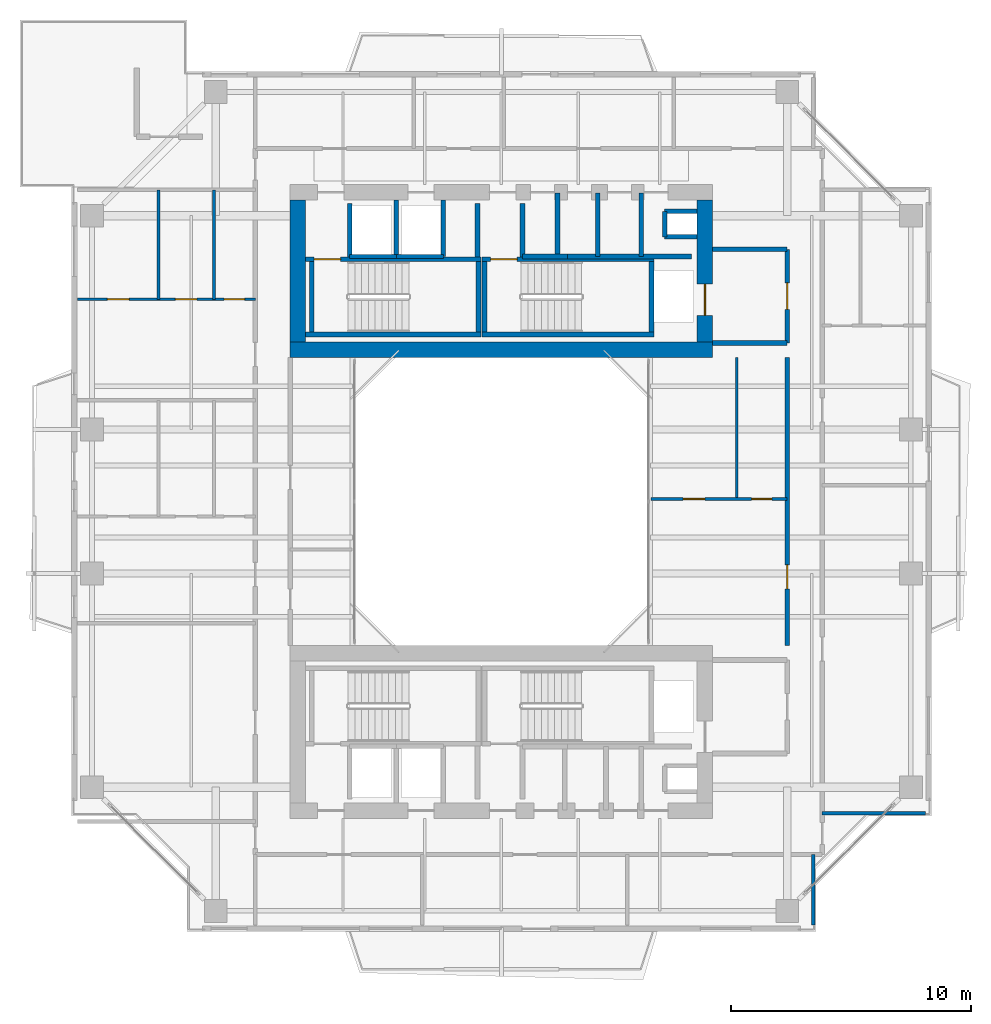
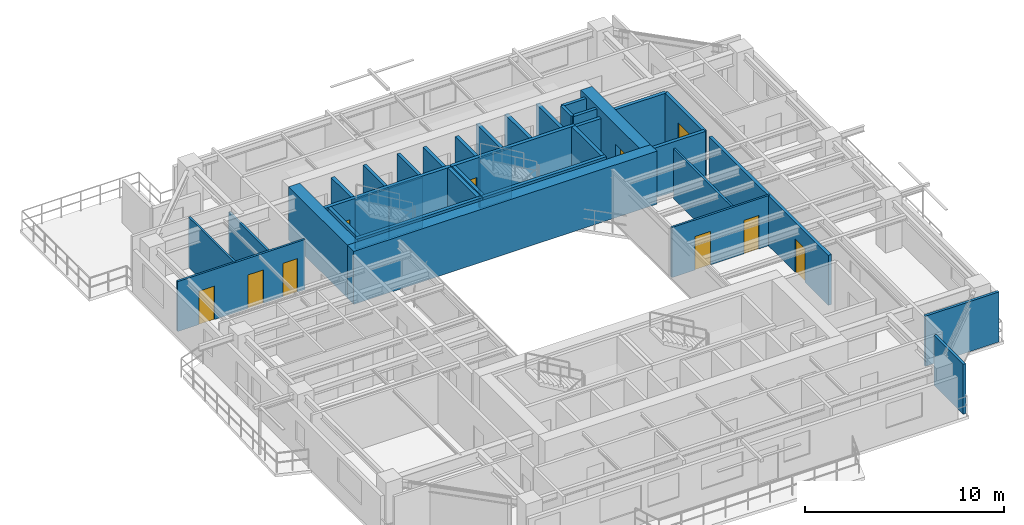
# One storey, part 12 of 17: 37 walls, 10 doors, 10 openings.
"""IFC4 building model written with IfcOpenShell, lengths in metres."""

import ifcopenshell
import ifcopenshell.guid

model = None  # the IFC model being written
_history = None  # IfcOwnerHistory: only IFC2X3 demands one
_inside = {}  # id of a spatial element -> (the spatial element, [elements in it])
_under = {}  # id of a project, library or spatial element -> (it, [spatial elements below it])
_declared = {}  # id of a project -> (the project, [libraries it declares])
_typed = {}  # id of a type object -> (the type object, [elements of that type])
_made_of = {}  # id of a material, layer set ... -> (it, [elements and type objects made of it])


def new_model(schema):
    """Start an empty IFC model of exactly this schema.

    Asked for "IFC4X3", IfcOpenShell would pick the latest addendum, in which some entities
    have other attributes; the version numbers below select the first issue.
    IFC2X3 requires an IfcOwnerHistory on every rooted entity: one is made here for all.
    """
    global model, _history
    if schema == "IFC4X3":
        model = ifcopenshell.file(schema_version=(4, 3, 0, 0))
    else:
        model = ifcopenshell.file(schema=schema)
    _inside.clear()
    _under.clear()
    _declared.clear()
    _typed.clear()
    _made_of.clear()
    _history = None
    if model.schema == "IFC2X3":
        org = make("IfcOrganization", Name="unknown")
        user = make(
            "IfcPersonAndOrganization",
            ThePerson=make("IfcPerson", FamilyName="unknown"),
            TheOrganization=org,
        )
        app = make(
            "IfcApplication",
            ApplicationDeveloper=org,
            Version="unknown",
            ApplicationFullName="unknown",
            ApplicationIdentifier="unknown",
        )
        _history = make(
            "IfcOwnerHistory",
            OwningUser=user,
            OwningApplication=app,
            ChangeAction="ADDED",
            CreationDate=0,
        )
    return model


def make(cls, **values):
    """One entity of the class cls with the attributes given. An attribute that is None is left unset."""
    return model.create_entity(
        cls, **{name: value for name, value in values.items() if value is not None}
    )


def rooted(cls, **values):
    """An entity with a GlobalId (a new one), such as an element, a storey or a relation."""
    return make(cls, GlobalId=ifcopenshell.guid.new(), OwnerHistory=_history, **values)


def si_unit(unit_type, name, prefix=None):
    """IfcSIUnit, for example si_unit("LENGTHUNIT", "METRE", prefix="MILLI")."""
    return make("IfcSIUnit", UnitType=unit_type, Prefix=prefix, Name=name)


def assignment(units):
    """IfcUnitAssignment: the units of a project."""
    return None if units is None else make("IfcUnitAssignment", Units=units)


def point(xyz):
    """IfcCartesianPoint."""
    return None if xyz is None else make("IfcCartesianPoint", Coordinates=xyz)


def direction(xyz):
    """IfcDirection."""
    return None if xyz is None else make("IfcDirection", DirectionRatios=xyz)


def frame(location, z_axis=None, x_axis=None):
    """IfcAxis2Placement3D, a coordinate frame: its origin and axes. An axis left out is left unset."""
    return make(
        "IfcAxis2Placement3D",
        Location=point(location),
        Axis=direction(z_axis),
        RefDirection=direction(x_axis),
    )


def frame_2d(location, x_axis=None):
    """IfcAxis2Placement2D, a coordinate frame in the plane: its origin and x axis."""
    return make(
        "IfcAxis2Placement2D", Location=point(location), RefDirection=direction(x_axis)
    )


def origin():
    """The frame at (0, 0, 0) with its axes left unset."""
    return frame((0.0, 0.0, 0.0))


def place(relative_to, where):
    """IfcLocalPlacement: puts the frame where relative to a parent placement (None: the world)."""
    return make(
        "IfcLocalPlacement", PlacementRelTo=relative_to, RelativePlacement=where
    )


def context(
    kind, dimensions, precision=None, world=None, true_north=None, identifier=None
):
    """IfcGeometricRepresentationContext, for example the 3D "Model" context."""
    return make(
        "IfcGeometricRepresentationContext",
        ContextIdentifier=identifier,
        ContextType=kind,
        CoordinateSpaceDimension=dimensions,
        Precision=precision,
        WorldCoordinateSystem=world,
        TrueNorth=true_north,
    )


def subcontext(parent, identifier, kind, view, scale=None):
    """IfcGeometricRepresentationSubContext, for example "Body" below "Model"."""
    return make(
        "IfcGeometricRepresentationSubContext",
        ContextIdentifier=identifier,
        ContextType=kind,
        ParentContext=parent,
        TargetScale=scale,
        TargetView=view,
    )


def project(units=None, contexts=None):
    """IfcProject with its units and contexts."""
    return rooted(
        "IfcProject",
        Name="project",
        RepresentationContexts=contexts,
        UnitsInContext=assignment(units),
    )


def spatial(cls, under=None, at=None, **own):
    """A site, building, storey or space (cls), placed at a placement, below another one or the project."""
    s = rooted(cls, ObjectPlacement=at, **own)
    if under is not None:
        _under.setdefault(under.id(), (under, []))[1].append(s)
    return s


def profile(cls, at=None, kind="AREA", **sizes):
    """A parametric profile (cls). Its sizes go by their IFC names, for example OverallWidth=200.0."""
    return make(cls, ProfileType=kind, Position=at, **sizes)


def rectangle(**sizes):
    """IfcRectangleProfileDef."""
    return profile("IfcRectangleProfileDef", **sizes)


def extrude(swept, where, along, depth):
    """IfcExtrudedAreaSolid: the profile swept, set in the frame where, extruded along a direction by depth."""
    return make(
        "IfcExtrudedAreaSolid",
        SweptArea=swept,
        Position=where,
        ExtrudedDirection=direction(along),
        Depth=depth,
    )


def shape(context_of_items, identifier, shape_type, items):
    """IfcShapeRepresentation: the items that make up one representation, for example the "Body"."""
    return make(
        "IfcShapeRepresentation",
        ContextOfItems=context_of_items,
        RepresentationIdentifier=identifier,
        RepresentationType=shape_type,
        Items=items,
    )


def source(mapping_origin, context_of_items, identifier, shape_type, items):
    """IfcRepresentationMap: a shape defined once, which mapped items show again and again."""
    return make(
        "IfcRepresentationMap",
        MappingOrigin=mapping_origin,
        MappedRepresentation=shape(context_of_items, identifier, shape_type, items),
    )


def transform(
    local_origin,
    x_axis=None,
    y_axis=None,
    z_axis=None,
    scale=None,
    scale2=None,
    scale3=None,
    uniform=True,
):
    """IfcCartesianTransformationOperator3D, or its non-uniform kind. x_axis, y_axis, z_axis: its Axis1, 2, 3."""
    if uniform:
        return make(
            "IfcCartesianTransformationOperator3D",
            Axis1=direction(x_axis),
            Axis2=direction(y_axis),
            LocalOrigin=point(local_origin),
            Scale=scale,
            Axis3=direction(z_axis),
        )
    return make(
        "IfcCartesianTransformationOperator3DnonUniform",
        Axis1=direction(x_axis),
        Axis2=direction(y_axis),
        LocalOrigin=point(local_origin),
        Scale=scale,
        Axis3=direction(z_axis),
        Scale2=scale2,
        Scale3=scale3,
    )


def mapped(mapping_source, mapping_target):
    """IfcMappedItem: shows the shape of a source again, moved by a transform."""
    return make(
        "IfcMappedItem", MappingSource=mapping_source, MappingTarget=mapping_target
    )


def material(Name=None, Category=None):
    """IfcMaterial."""
    return make("IfcMaterial", Name=Name, Category=Category)


def layer(
    of_material, thickness, ventilated=None, Name=None, Category=None, Priority=None
):
    """IfcMaterialLayer: one layer of a wall or slab, of a material (None: an air gap)."""
    return make(
        "IfcMaterialLayer",
        Material=of_material,
        LayerThickness=thickness,
        IsVentilated=ventilated,
        Name=Name,
        Category=Category,
        Priority=Priority,
    )


def layer_set(layers, Name=None):
    """IfcMaterialLayerSet."""
    return make("IfcMaterialLayerSet", MaterialLayers=layers, LayerSetName=Name)


def made_of(thing, what):
    """Note that an element or type object is made of a material, layer set ...; save() writes the relation."""
    if what is not None:
        _made_of.setdefault(what.id(), (what, []))[1].append(thing)
    return thing


def type_object(cls, material=None, **own):
    """A type object (cls), such as IfcWallType, which elements share."""
    return made_of(rooted(cls, **own), material)


def element(
    cls,
    number,
    at=None,
    inside=None,
    cuts=None,
    type_object=None,
    material=None,
    context=None,
    identifier="Body",
    shape_type=None,
    held_by="IfcProductDefinitionShape",
    body=None,
    shapes=None,
    **own,
):
    """One element of the class cls, such as IfcWall. Its Tag is "e" and its number.

    at: its placement. inside: the storey or other place that contains it. cuts: it is an
    opening in that element (IfcRelVoidsElement). A single representation is given by context,
    identifier, shape_type and body (its items); several are given by shapes. held_by: the class
    of the entity that holds the representations. save() writes the other relations.
    """
    e = rooted(cls, Tag="e%d" % number, ObjectPlacement=at, **own)
    if body is not None:
        shapes = [shape(context, identifier, shape_type, body)]
    if shapes is not None:
        e.Representation = make(held_by, Representations=shapes)
    if inside is not None:
        _inside.setdefault(inside.id(), (inside, []))[1].append(e)
    if cuts is not None:
        rooted(
            "IfcRelVoidsElement", RelatingBuildingElement=cuts, RelatedOpeningElement=e
        )
    if type_object is not None:
        _typed.setdefault(type_object.id(), (type_object, []))[1].append(e)
    return made_of(e, material)


def fill(opening, filler):
    """IfcRelFillsElement: the door or window that sits in an opening."""
    return rooted(
        "IfcRelFillsElement",
        RelatingOpeningElement=opening,
        RelatedBuildingElement=filler,
    )


def aggregate(whole, parts):
    """IfcRelAggregates: a whole, such as a stair, and the parts it consists of."""
    return rooted("IfcRelAggregates", RelatingObject=whole, RelatedObjects=parts)


def save(model, path):
    """Write the relations noted so far, then the file.

    IfcRelAggregates (storeys below a building ...), IfcRelContainedInSpatialStructure (elements
    in a storey), IfcRelDefinesByType, IfcRelAssociatesMaterial and IfcRelDeclares: one each for
    every whole, place, type object, material and project.
    """
    for whole, parts in _under.values():
        aggregate(whole, parts)
    for where, things in _inside.values():
        rooted(
            "IfcRelContainedInSpatialStructure",
            RelatedElements=things,
            RelatingStructure=where,
        )
    for kind, things in _typed.values():
        rooted("IfcRelDefinesByType", RelatedObjects=things, RelatingType=kind)
    for what, things in _made_of.values():
        rooted("IfcRelAssociatesMaterial", RelatedObjects=things, RelatingMaterial=what)
    for by, libraries in _declared.values():
        rooted("IfcRelDeclares", RelatingContext=by, RelatedDefinitions=libraries)
    model.write(path)


model = new_model("IFC4")

# Units and contexts
model_context = context("Model", 3, precision=1e-05, world=origin(), true_north=direction((0.0, 1.0)))
body_context = subcontext(model_context, "Body", "Model", "MODEL_VIEW")
ifc_project = project(units=[si_unit("LENGTHUNIT", "METRE"), si_unit("AREAUNIT", "SQUARE_METRE"), si_unit("VOLUMEUNIT", "CUBIC_METRE"), si_unit("PLANEANGLEUNIT", "RADIAN"), si_unit("MASSUNIT", "GRAM", prefix="KILO"), si_unit("THERMODYNAMICTEMPERATUREUNIT", "KELVIN"), si_unit("POWERUNIT", "WATT")], contexts=[model_context])

# Site, building, storey
site_placement = place(None, origin())
site = spatial("IfcSite", under=ifc_project, at=site_placement, CompositionType="ELEMENT")
building_placement = place(site_placement, origin())
building = spatial("IfcBuilding", under=site, at=building_placement, Name="Qiaomeng Ring Towers", CompositionType="ELEMENT")
storey_placement = place(building_placement, frame((0.0, 0.0, 143.75)))
storey = spatial("IfcBuildingStorey", under=building, at=storey_placement, Name="L41", CompositionType="ELEMENT", Elevation=143.75)

# Walls
ifc_material_1 = material(Name="Autoclaved aerated concrete block", Category="concrete")
ifc_layer_1 = layer(ifc_material_1, 0.199951171875, Name="Autoclaved aerated concrete block")
ifc_layer_set_1 = layer_set([ifc_layer_1], Name="Autoclaved aerated concrete block")
wall_type_1 = type_object("IfcWallType", Name="ARC-WL-PW1", PredefinedType="PARTITIONING", material=ifc_layer_set_1)
for number, where, z_axis, x_axis, name in (
    (1, (27.800048828125, 29.60009765625, 0.0), (0.0, 0.0, 1.0), (1.0, 0.0, 0.0), "L41 Interior Wall PW1"),
    (2, (27.800048828125, 33.5, 0.0), (0.0, 0.0, 1.0), (1.0, 0.0, 0.0), "L41 Interior Wall PW1"),
):
    element("IfcWall", number, at=place(storey_placement, frame(where, z_axis=z_axis, x_axis=x_axis)), inside=storey, type_object=wall_type_1, Name=name, PredefinedType="PARTITIONING", context=body_context, shape_type="SweptSolid", body=[
        extrude(rectangle(XDim=3.099853515625, YDim=0.199951171875, at=frame_2d((1.5498046875, 0.0))), origin(), (0.0, 0.0, 1.0), 3.070068359375),
    ])

# Wall, opening, door
wall_1_placement = place(storey_placement, frame((30.89990234375, 29.60009765625, 0.0), z_axis=(0.0, 0.0, 1.0), x_axis=(0.0, 1.0, 0.0)))
wall_1 = element("IfcWall", 3, at=wall_1_placement, inside=storey, type_object=wall_type_1, Name="L41 Interior Wall PW1", PredefinedType="PARTITIONING", context=body_context, shape_type="SweptSolid", body=[
    extrude(rectangle(XDim=3.89990234375, YDim=0.199951171875, at=frame_2d((1.949951171875, 0.0))), origin(), (0.0, 0.0, 1.0), 3.070068359375),
])
opening_1_placement = place(wall_1_placement, frame((1.39990234375, 0.0, 0.0)))
opening_1 = element("IfcOpeningElement", 4, at=opening_1_placement, cuts=wall_1, Name="Opening FD3", PredefinedType="OPENING", context=body_context, shape_type="SweptSolid", body=[
    extrude(rectangle(XDim=1.10009765625, YDim=2.050048828125, at=frame_2d((0.550048828125, 1.02490234375))), frame((0.0, 0.10986328125, 0.0), z_axis=(0.0, -1.0, 0.0), x_axis=(1.0, 0.0, 0.0)), (0.0, 0.0, 1.0), 0.219970703125),
])
ifc_material_2 = material(Name="Galvanised steel", Category="steel")
door_type_1 = type_object("IfcDoorType", Name="ARC-DR-FD3", OperationType="NOTDEFINED", PredefinedType="DOOR", material=ifc_material_2)
shared_shape_1 = source(origin(), body_context, "Body", "SweptSolid", [
    extrude(rectangle(XDim=1.10009765625, YDim=2.050048828125, at=frame_2d((0.550048828125, 1.02490234375))), frame((0.0, 0.02490234375, 0.0), z_axis=(0.0, -1.0, 0.0), x_axis=(1.0, 0.0, 0.0)), (0.0, 0.0, 1.0), 0.050048828125),
])
door_1_placement = place(opening_1_placement, origin())
door_1 = element("IfcDoor", 5, at=door_1_placement, inside=storey, type_object=door_type_1, Name="L41 North FF Lobby Door", OperationType="SINGLE_SWING_LEFT", OverallHeight=2.050048828125, OverallWidth=1.10009765625, PredefinedType="DOOR", context=body_context, shape_type="MappedRepresentation", body=[
    mapped(shared_shape_1, transform((0.0, 0.0, 0.0), x_axis=(1.0, 0.0, 0.0), y_axis=(0.0, 1.0, 0.0), z_axis=(0.0, 0.0, 1.0), scale=1.0)),
])
fill(opening_1, door_1)

# Walls
for number, where, z_axis, x_axis, name in (
    (6, (12.679931640625, 33.18994140625, 0.0), (0.0, 0.0, 1.0), (0.0, 1.0, 0.0), "L41 Interior Wall PW1"),
    (7, (18.0, 33.18994140625, 0.0), (0.0, 0.0, 1.0), (0.0, 1.0, 0.0), "L41 Interior Wall PW1"),
    (8, (19.8798828125, 33.18994140625, 0.0), (0.0, 0.0, 1.0), (0.0, 1.0, 0.0), "L41 Interior Wall PW1"),
):
    element("IfcWall", number, at=place(storey_placement, frame(where, z_axis=z_axis, x_axis=x_axis)), inside=storey, type_object=wall_type_1, Name=name, PredefinedType="PARTITIONING", context=body_context, shape_type="SweptSolid", body=[
        extrude(rectangle(XDim=2.2099609375, YDim=0.199951171875, at=frame_2d((1.10498046875, 0.0))), origin(), (0.0, 0.0, 1.0), 3.070068359375),
    ])
wall_2_placement = place(storey_placement, frame((24.820068359375, 33.199951171875, 0.0), z_axis=(0.0, 0.0, 1.0), x_axis=(0.0, 1.0, 0.0)))
element("IfcWall", 9, at=wall_2_placement, inside=storey, type_object=wall_type_1, Name="L41 Interior Wall PW1", PredefinedType="PARTITIONING", context=body_context, shape_type="SweptSolid", body=[
    extrude(rectangle(XDim=2.650146484375, YDim=0.199951171875, at=frame_2d((1.3251953125, 0.0))), origin(), (0.0, 0.0, 1.0), 3.070068359375),
])
wall_3_placement = place(storey_placement, frame((19.8798828125, 33.199951171875, 0.0), z_axis=(0.0, 0.0, 1.0), x_axis=(1.0, 0.0, 0.0)))
element("IfcWall", 10, at=wall_3_placement, inside=storey, type_object=wall_type_1, Name="L41 Interior Wall PW1", PredefinedType="PARTITIONING", context=body_context, shape_type="SweptSolid", body=[
    extrude(rectangle(XDim=1.8701171875, YDim=0.199951171875, at=frame_2d((0.93505859375, 0.0))), origin(), (0.0, 0.0, 1.0), 3.070068359375),
])
for number, where, z_axis, x_axis, name in (
    (11, (21.340087890625, 33.199951171875, 0.0), (0.0, 0.0, 1.0), (0.0, 1.0, 0.0), "L41 Interior Wall PW1"),
    (12, (23.010009765625, 33.199951171875, 0.0), (0.0, 0.0, 1.0), (0.0, 1.0, 0.0), "L41 Interior Wall PW1"),
):
    element("IfcWall", number, at=place(storey_placement, frame(where, z_axis=z_axis, x_axis=x_axis)), inside=storey, type_object=wall_type_1, Name=name, PredefinedType="PARTITIONING", context=body_context, shape_type="SweptSolid", body=[
        extrude(rectangle(XDim=2.650146484375, YDim=0.199951171875, at=frame_2d((1.3251953125, 0.0))), origin(), (0.0, 0.0, 1.0), 3.070068359375),
    ])
wall_4_placement = place(storey_placement, frame((21.75, 33.199951171875, 0.0), z_axis=(0.0, 0.0, 1.0), x_axis=(1.0, 0.0, 0.0)))
element("IfcWall", 13, at=wall_4_placement, inside=storey, type_object=wall_type_1, Name="L41 Interior Wall PW1", PredefinedType="PARTITIONING", context=body_context, shape_type="SweptSolid", body=[
    extrude(rectangle(XDim=5.169921875, YDim=0.199951171875, at=frame_2d((2.5849609375, 0.0))), origin(), (0.0, 0.0, 1.0), 3.070068359375),
])

# Wall, opening, door
ifc_layer_2 = layer(ifc_material_1, 0.179931640625, Name="Autoclaved aerated concrete block")
ifc_layer_set_2 = layer_set([ifc_layer_2], Name="Autoclaved aerated concrete block")
wall_type_2 = type_object("IfcWallType", Name="ARC-WL-PW2", PredefinedType="PARTITIONING", material=ifc_layer_set_2)
wall_5_placement = place(storey_placement, frame((30.89990234375, 17.0, 0.0), z_axis=(0.0, 0.0, 1.0), x_axis=(0.0, 1.0, 0.0)))
wall_5 = element("IfcWall", 14, at=wall_5_placement, inside=storey, type_object=wall_type_2, Name="L41 Interior Wall PW2", PredefinedType="PARTITIONING", context=body_context, shape_type="SweptSolid", body=[
    extrude(rectangle(XDim=12.0, YDim=0.179931640625, at=frame_2d((6.0, 0.0))), origin(), (0.0, 0.0, 1.0), 3.070068359375),
])
opening_2_placement = place(wall_5_placement, frame((2.360107421875, 0.0, 0.0)))
opening_2 = element("IfcOpeningElement", 15, at=opening_2_placement, cuts=wall_5, Name="Opening FD4", PredefinedType="OPENING", context=body_context, shape_type="SweptSolid", body=[
    extrude(rectangle(XDim=1.0, YDim=2.050048828125, at=frame_2d((0.5, 1.02490234375))), frame((0.0, 0.099853515625, 0.0), z_axis=(0.0, -1.0, 0.0), x_axis=(1.0, 0.0, 0.0)), (0.0, 0.0, 1.0), 0.199951171875),
])
ifc_material_3 = material(Name="Engineered fire-rated oak timber", Category="wood")
door_type_2 = type_object("IfcDoorType", Name="ARC-DR-FD4", OperationType="NOTDEFINED", PredefinedType="DOOR", material=ifc_material_3)
shared_shape_2 = source(origin(), body_context, "Body", "SweptSolid", [
    extrude(rectangle(XDim=1.0, YDim=2.050048828125, at=frame_2d((0.5, 1.02490234375))), frame((0.0, 0.02490234375, 0.0), z_axis=(0.0, -1.0, 0.0), x_axis=(1.0, 0.0, 0.0)), (0.0, 0.0, 1.0), 0.050048828125),
])
door_2_placement = place(opening_2_placement, origin())
door_2 = element("IfcDoor", 16, at=door_2_placement, inside=storey, type_object=door_type_2, Name="L41 Door FD4", OperationType="SINGLE_SWING_LEFT", OverallHeight=2.050048828125, OverallWidth=1.0, PredefinedType="DOOR", context=body_context, shape_type="MappedRepresentation", body=[
    mapped(shared_shape_2, transform((0.0, 0.0, 0.0), x_axis=(1.0, 0.0, 0.0), y_axis=(0.0, 1.0, 0.0), z_axis=(0.0, 0.0, 1.0), scale=1.0)),
])
fill(opening_2, door_2)

# Walls
ifc_material_4 = material(Name="Gypsum fireboard steel-stud partition", Category="steel")
ifc_layer_3 = layer(ifc_material_4, 0.14990234375, Name="Gypsum fireboard steel-stud partition")
ifc_layer_set_3 = layer_set([ifc_layer_3], Name="Gypsum fireboard steel-stud partition")
wall_type_3 = type_object("IfcWallType", Name="ARC-WL-PW3", PredefinedType="PARTITIONING", material=ifc_layer_set_3)
wall_6_placement = place(storey_placement, frame((31.97998046875, 5.35009765625, 0.0), z_axis=(0.0, 0.0, 1.0), x_axis=(0.0, 1.0, 0.0)))
element("IfcWall", 17, at=wall_6_placement, inside=storey, type_object=wall_type_3, Name="L41 Interior Wall PW3", PredefinedType="PARTITIONING", context=body_context, shape_type="SweptSolid", body=[
    extrude(rectangle(XDim=2.949951171875, YDim=0.14990234375, at=frame_2d((1.47509765625, 0.0))), origin(), (0.0, 0.0, 1.0), 3.070068359375),
])
wall_7_placement = place(storey_placement, frame((32.360107421875, 10.02001953125, 0.0), z_axis=(0.0, 0.0, 1.0), x_axis=(1.0, 0.0, 0.0)))
element("IfcWall", 18, at=wall_7_placement, inside=storey, type_object=wall_type_3, Name="L41 Interior Wall PW3", PredefinedType="PARTITIONING", context=body_context, shape_type="SweptSolid", body=[
    extrude(rectangle(XDim=4.289794921875, YDim=0.14990234375, at=frame_2d((2.14501953125, 0.0))), origin(), (0.0, 0.0, 1.0), 3.070068359375),
])

# Wall, openings, doors
ifc_material_5 = material(Name="Moisture-resistant gypsum steel-stud partition", Category="steel")
ifc_layer_4 = layer(ifc_material_5, 0.1201171875, Name="Moisture-resistant gypsum steel-stud partition")
ifc_layer_set_4 = layer_set([ifc_layer_4], Name="Moisture-resistant gypsum steel-stud partition")
wall_type_4 = type_object("IfcWallType", Name="ARC-WL-PW4", PredefinedType="PLUMBINGWALL", material=ifc_layer_set_4)
wall_8_placement = place(storey_placement, frame((1.35009765625, 31.419921875, 0.0), z_axis=(0.0, 0.0, 1.0), x_axis=(1.0, 0.0, 0.0)))
wall_8 = element("IfcWall", 19, at=wall_8_placement, inside=storey, type_object=wall_type_4, Name="L41 Interior Wall PW4", PredefinedType="PLUMBINGWALL", context=body_context, shape_type="SweptSolid", body=[
    extrude(rectangle(XDim=7.39990234375, YDim=0.1201171875, at=frame_2d((3.699951171875, 0.0))), origin(), (0.0, 0.0, 1.0), 3.070068359375),
])
opening_3_placement = place(wall_8_placement, frame((1.239990234375, 0.0, 0.0)))
opening_3 = element("IfcOpeningElement", 20, at=opening_3_placement, cuts=wall_8, Name="Opening ID1", PredefinedType="OPENING", context=body_context, shape_type="SweptSolid", body=[
    extrude(rectangle(XDim=0.89990234375, YDim=2.050048828125, at=frame_2d((0.449951171875, 1.02490234375))), frame((0.0, 0.070068359375, 0.0), z_axis=(0.0, -1.0, 0.0), x_axis=(1.0, 0.0, 0.0)), (0.0, 0.0, 1.0), 0.14013671875),
])
opening_4_placement = place(wall_8_placement, frame((4.070068359375, 0.0, 0.0)))
opening_4 = element("IfcOpeningElement", 21, at=opening_4_placement, cuts=wall_8, Name="Opening ID1", PredefinedType="OPENING", context=body_context, shape_type="SweptSolid", body=[
    extrude(rectangle(XDim=0.89990234375, YDim=2.050048828125, at=frame_2d((0.449951171875, 1.02490234375))), frame((0.0, 0.070068359375, 0.0), z_axis=(0.0, -1.0, 0.0), x_axis=(1.0, 0.0, 0.0)), (0.0, 0.0, 1.0), 0.14013671875),
])
opening_5_placement = place(wall_8_placement, frame((6.10498046875, 0.0, 0.0)))
opening_5 = element("IfcOpeningElement", 22, at=opening_5_placement, cuts=wall_8, Name="Opening ID2", PredefinedType="OPENING", context=body_context, shape_type="SweptSolid", body=[
    extrude(rectangle(XDim=0.85009765625, YDim=2.050048828125, at=frame_2d((0.425048828125, 1.02490234375))), frame((0.0, 0.070068359375, 0.0), z_axis=(0.0, -1.0, 0.0), x_axis=(1.0, 0.0, 0.0)), (0.0, 0.0, 1.0), 0.14013671875),
])
ifc_material_6 = material(Name="Moisture-resistant engineered timber", Category="wood")
door_type_3 = type_object("IfcDoorType", Name="ARC-DR-ID2", OperationType="NOTDEFINED", PredefinedType="DOOR", material=ifc_material_6)
shared_shape_3 = source(origin(), body_context, "Body", "SweptSolid", [
    extrude(rectangle(XDim=0.85009765625, YDim=2.050048828125, at=frame_2d((0.425048828125, 1.02490234375))), frame((0.0, 0.02490234375, 0.0), z_axis=(0.0, -1.0, 0.0), x_axis=(1.0, 0.0, 0.0)), (0.0, 0.0, 1.0), 0.050048828125),
])
door_3_placement = place(opening_5_placement, origin())
door_3 = element("IfcDoor", 23, at=door_3_placement, inside=storey, type_object=door_type_3, Name="L41 Door ID2", OperationType="SINGLE_SWING_LEFT", OverallHeight=2.050048828125, OverallWidth=0.85009765625, PredefinedType="DOOR", context=body_context, shape_type="MappedRepresentation", body=[
    mapped(shared_shape_3, transform((0.0, 0.0, 0.0), x_axis=(1.0, 0.0, 0.0), y_axis=(0.0, 1.0, 0.0), z_axis=(0.0, 0.0, 1.0), scale=1.0)),
])
fill(opening_5, door_3)
ifc_material_7 = material(Name="Engineered oak timber", Category="wood")
door_type_4 = type_object("IfcDoorType", Name="ARC-DR-ID1", OperationType="NOTDEFINED", PredefinedType="DOOR", material=ifc_material_7)
shared_shape_4 = source(origin(), body_context, "Body", "SweptSolid", [
    extrude(rectangle(XDim=0.89990234375, YDim=2.050048828125, at=frame_2d((0.449951171875, 1.02490234375))), frame((0.0, 0.02490234375, 0.0), z_axis=(0.0, -1.0, 0.0), x_axis=(1.0, 0.0, 0.0)), (0.0, 0.0, 1.0), 0.050048828125),
])
door_4_placement = place(opening_3_placement, origin())
door_4 = element("IfcDoor", 24, at=door_4_placement, inside=storey, type_object=door_type_4, Name="L41 Door ID1", OperationType="SINGLE_SWING_LEFT", OverallHeight=2.050048828125, OverallWidth=0.89990234375, PredefinedType="DOOR", context=body_context, shape_type="MappedRepresentation", body=[
    mapped(shared_shape_4, transform((0.0, 0.0, 0.0), x_axis=(1.0, 0.0, 0.0), y_axis=(0.0, 1.0, 0.0), z_axis=(0.0, 0.0, 1.0), scale=1.0)),
])
fill(opening_3, door_4)
door_5_placement = place(opening_4_placement, origin())
door_5 = element("IfcDoor", 25, at=door_5_placement, inside=storey, type_object=door_type_4, Name="L41 Door ID1", OperationType="SINGLE_SWING_RIGHT", OverallHeight=2.050048828125, OverallWidth=0.89990234375, PredefinedType="DOOR", context=body_context, shape_type="MappedRepresentation", body=[
    mapped(shared_shape_4, transform((0.0, 0.0, 0.0), x_axis=(1.0, 0.0, 0.0), y_axis=(0.0, 1.0, 0.0), z_axis=(0.0, 0.0, 1.0), scale=1.0)),
])
fill(opening_4, door_5)

# Walls
wall_9_placement = place(storey_placement, frame((4.7099609375, 31.419921875, 0.0), z_axis=(0.0, 0.0, 1.0), x_axis=(0.0, 1.0, 0.0)))
element("IfcWall", 26, at=wall_9_placement, inside=storey, type_object=wall_type_4, Name="L41 Interior Wall PW4", PredefinedType="PLUMBINGWALL", context=body_context, shape_type="SweptSolid", body=[
    extrude(rectangle(XDim=4.56005859375, YDim=0.1201171875, at=frame_2d((2.280029296875, 0.0))), origin(), (0.0, 0.0, 1.0), 3.070068359375),
])
wall_10_placement = place(storey_placement, frame((7.030029296875, 31.419921875, 0.0), z_axis=(0.0, 0.0, 1.0), x_axis=(0.0, 1.0, 0.0)))
element("IfcWall", 27, at=wall_10_placement, inside=storey, type_object=wall_type_4, Name="L41 Interior Wall PW4", PredefinedType="PLUMBINGWALL", context=body_context, shape_type="SweptSolid", body=[
    extrude(rectangle(XDim=4.56005859375, YDim=0.1201171875, at=frame_2d((2.280029296875, 0.0))), origin(), (0.0, 0.0, 1.0), 2.576904296875),
])

# Wall, openings, doors
wall_11_placement = place(storey_placement, frame((25.219970703125, 23.10009765625, 0.0), z_axis=(0.0, 0.0, 1.0), x_axis=(1.0, 0.0, 0.0)))
wall_11 = element("IfcWall", 28, at=wall_11_placement, inside=storey, type_object=wall_type_4, Name="L41 Interior Wall PW4", PredefinedType="PLUMBINGWALL", context=body_context, shape_type="SweptSolid", body=[
    extrude(rectangle(XDim=5.679931640625, YDim=0.1201171875, at=frame_2d((2.83984375, 0.0))), origin(), (0.0, 0.0, 1.0), 3.070068359375),
])
opening_6_placement = place(wall_11_placement, frame((1.35009765625, 0.0, 0.0)))
opening_6 = element("IfcOpeningElement", 29, at=opening_6_placement, cuts=wall_11, Name="Opening ID1", PredefinedType="OPENING", context=body_context, shape_type="SweptSolid", body=[
    extrude(rectangle(XDim=0.89990234375, YDim=2.050048828125, at=frame_2d((0.449951171875, 1.02490234375))), frame((0.0, 0.070068359375, 0.0), z_axis=(0.0, -1.0, 0.0), x_axis=(1.0, 0.0, 0.0)), (0.0, 0.0, 1.0), 0.14013671875),
])
opening_7_placement = place(wall_11_placement, frame((4.195068359375, 0.0, 0.0)))
opening_7 = element("IfcOpeningElement", 30, at=opening_7_placement, cuts=wall_11, Name="Opening ID2", PredefinedType="OPENING", context=body_context, shape_type="SweptSolid", body=[
    extrude(rectangle(XDim=0.85009765625, YDim=2.050048828125, at=frame_2d((0.425048828125, 1.02490234375))), frame((0.0, 0.070068359375, 0.0), z_axis=(0.0, -1.0, 0.0), x_axis=(1.0, 0.0, 0.0)), (0.0, 0.0, 1.0), 0.14013671875),
])
door_6_placement = place(opening_7_placement, origin())
door_6 = element("IfcDoor", 31, at=door_6_placement, inside=storey, type_object=door_type_3, Name="L41 Door ID2", OperationType="SINGLE_SWING_RIGHT", OverallHeight=2.050048828125, OverallWidth=0.85009765625, PredefinedType="DOOR", context=body_context, shape_type="MappedRepresentation", body=[
    mapped(shared_shape_3, transform((0.0, 0.0, 0.0), x_axis=(1.0, 0.0, 0.0), y_axis=(0.0, 1.0, 0.0), z_axis=(0.0, 0.0, 1.0), scale=1.0)),
])
fill(opening_7, door_6)
door_7_placement = place(opening_6_placement, origin())
door_7 = element("IfcDoor", 32, at=door_7_placement, inside=storey, type_object=door_type_4, Name="L41 Door ID1", OperationType="SINGLE_SWING_LEFT", OverallHeight=2.050048828125, OverallWidth=0.89990234375, PredefinedType="DOOR", context=body_context, shape_type="MappedRepresentation", body=[
    mapped(shared_shape_4, transform((0.0, 0.0, 0.0), x_axis=(1.0, 0.0, 0.0), y_axis=(0.0, 1.0, 0.0), z_axis=(0.0, 0.0, 1.0), scale=1.0)),
])
fill(opening_6, door_7)

# Walls
wall_12_placement = place(storey_placement, frame((28.800048828125, 23.10009765625, 0.0), z_axis=(0.0, 0.0, 1.0), x_axis=(0.0, 1.0, 0.0)))
element("IfcWall", 33, at=wall_12_placement, inside=storey, type_object=wall_type_4, Name="L41 Interior Wall PW4", PredefinedType="PLUMBINGWALL", context=body_context, shape_type="SweptSolid", body=[
    extrude(rectangle(XDim=5.89990234375, YDim=0.1201171875, at=frame_2d((2.949951171875, 0.0))), origin(), (0.0, 0.0, 1.0), 3.070068359375),
])
ifc_material_8 = material(Name="Concrete C40", Category="concrete")
ifc_layer_5 = layer(ifc_material_8, 0.199951171875, Name="Concrete C40")
ifc_layer_set_5 = layer_set([ifc_layer_5], Name="Concrete C40")
wall_type_5 = type_object("IfcWallType", Name="STR-WL-STSHAFT", PredefinedType="SHEAR", material=ifc_layer_set_5)
wall_13_placement = place(storey_placement, frame((12.679931640625, 33.199951171875, 0.0), z_axis=(0.0, 0.0, 1.0), x_axis=(1.0, 0.0, 0.0)))
element("IfcWall", 34, at=wall_13_placement, inside=storey, type_object=wall_type_5, Name="L41 Lift LP5 Shaft Back Wall", PredefinedType="SHEAR", context=body_context, shape_type="SweptSolid", body=[
    extrude(rectangle(XDim=1.940185546875, YDim=0.179931640625, at=frame_2d((0.97021484375, 0.0))), origin(), (0.0, 0.0, 1.0), 3.070068359375),
])
wall_14_placement = place(storey_placement, frame((14.6201171875, 33.199951171875, 0.0), z_axis=(0.0, 0.0, 1.0), x_axis=(0.0, 1.0, 0.0)))
element("IfcWall", 35, at=wall_14_placement, inside=storey, type_object=wall_type_5, Name="L41 Lift LP5-LP3 Shaft Divider Wall", PredefinedType="SHEAR", context=body_context, shape_type="SweptSolid", body=[
    extrude(rectangle(XDim=2.35009765625, YDim=0.179931640625, at=frame_2d((1.175048828125, 0.0))), origin(), (0.0, 0.0, 1.0), 3.070068359375),
])
wall_15_placement = place(storey_placement, frame((25.800048828125, 34.02001953125, 0.0), z_axis=(0.0, 0.0, 1.0), x_axis=(0.0, 1.0, 0.0)))
element("IfcWall", 36, at=wall_15_placement, inside=storey, type_object=wall_type_5, Name="L41 Riser RSR1 West Shaft Wall N", PredefinedType="SHEAR", context=body_context, shape_type="SweptSolid", body=[
    extrude(rectangle(XDim=1.06005859375, YDim=0.179931640625, at=frame_2d((0.530029296875, 0.0))), origin(), (0.0, 0.0, 1.0), 3.070068359375),
])
for number, where, z_axis, x_axis, name in (
    (37, (25.800048828125, 35.080078125, 0.0), (0.0, 0.0, 1.0), (1.0, 0.0, 0.0), "L41 Riser RSR1 North Shaft Wall N"),
    (38, (25.800048828125, 34.02001953125, 0.0), (0.0, 0.0, 1.0), (1.0, 0.0, 0.0), "L41 Riser RSR1 South Shaft Wall N"),
):
    element("IfcWall", number, at=place(storey_placement, frame(where, z_axis=z_axis, x_axis=x_axis)), inside=storey, type_object=wall_type_5, Name=name, PredefinedType="SHEAR", context=body_context, shape_type="SweptSolid", body=[
        extrude(rectangle(XDim=1.349853515625, YDim=0.179931640625, at=frame_2d((0.6748046875, 0.0))), origin(), (0.0, 0.0, 1.0), 3.070068359375),
    ])
wall_16_placement = place(storey_placement, frame((14.6201171875, 33.199951171875, 0.0), z_axis=(0.0, 0.0, 1.0), x_axis=(1.0, 0.0, 0.0)))
element("IfcWall", 39, at=wall_16_placement, inside=storey, type_object=wall_type_5, Name="L41 Lift LP3 Shaft Back Wall", PredefinedType="SHEAR", context=body_context, shape_type="SweptSolid", body=[
    extrude(rectangle(XDim=1.9599609375, YDim=0.179931640625, at=frame_2d((0.97998046875, 0.0))), origin(), (0.0, 0.0, 1.0), 3.070068359375),
])
wall_17_placement = place(storey_placement, frame((16.580078125, 33.199951171875, 0.0), z_axis=(0.0, 0.0, 1.0), x_axis=(0.0, 1.0, 0.0)))
element("IfcWall", 40, at=wall_17_placement, inside=storey, type_object=wall_type_5, Name="L41 Lift LP3 East Shaft Wall", PredefinedType="SHEAR", context=body_context, shape_type="SweptSolid", body=[
    extrude(rectangle(XDim=2.35009765625, YDim=0.179931640625, at=frame_2d((1.175048828125, 0.0))), origin(), (0.0, 0.0, 1.0), 3.070068359375),
])
wall_18_placement = place(storey_placement, frame((10.85009765625, 29.949951171875, 0.0), z_axis=(0.0, 0.0, 1.0), x_axis=(1.0, 0.0, 0.0)))
element("IfcWall", 41, at=wall_18_placement, inside=storey, type_object=wall_type_5, Name="L41 Stair ST1 South Shaft Shear Wall", PredefinedType="SHEAR", context=body_context, shape_type="SweptSolid", body=[
    extrude(rectangle(XDim=7.2998046875, YDim=0.199951171875, at=frame_2d((3.64990234375, 0.0))), origin(), (0.0, 0.0, 1.0), 3.25),
])

# Wall, opening, door
wall_19_placement = place(storey_placement, frame((10.85009765625, 33.090087890625, 0.0), z_axis=(0.0, 0.0, 1.0), x_axis=(1.0, 0.0, 0.0)))
wall_19 = element("IfcWall", 42, at=wall_19_placement, inside=storey, type_object=wall_type_5, Name="L41 Stair ST1 North Shaft Shear Wall", PredefinedType="SHEAR", context=body_context, shape_type="SweptSolid", body=[
    extrude(rectangle(XDim=7.2998046875, YDim=0.199951171875, at=frame_2d((3.64990234375, 0.0))), origin(), (0.0, 0.0, 1.0), 3.25),
])
opening_8_placement = place(wall_19_placement, frame((0.35009765625, 0.0, 0.0)))
opening_8 = element("IfcOpeningElement", 43, at=opening_8_placement, cuts=wall_19, Name="Opening FD3", PredefinedType="OPENING", context=body_context, shape_type="SweptSolid", body=[
    extrude(rectangle(XDim=1.10009765625, YDim=2.050048828125, at=frame_2d((0.550048828125, 1.02490234375))), frame((0.0, 0.10986328125, 0.0), z_axis=(0.0, -1.0, 0.0), x_axis=(1.0, 0.0, 0.0)), (0.0, 0.0, 1.0), 0.219970703125),
])
door_8_placement = place(opening_8_placement, origin())
door_8 = element("IfcDoor", 44, at=door_8_placement, inside=storey, type_object=door_type_1, Name="L41 Stair ST1 Exit Door", OperationType="SINGLE_SWING_RIGHT", OverallHeight=2.050048828125, OverallWidth=1.10009765625, PredefinedType="DOOR", context=body_context, shape_type="MappedRepresentation", body=[
    mapped(shared_shape_1, transform((0.0, 0.0, 0.0), x_axis=(1.0, 0.0, 0.0), y_axis=(0.0, 1.0, 0.0), z_axis=(0.0, 0.0, 1.0), scale=1.0)),
])
fill(opening_8, door_8)

# Walls
for number, where, z_axis, x_axis, name in (
    (45, (11.10009765625, 30.050048828125, 0.0), (0.0, 0.0, 1.0), (0.0, 1.0, 0.0), "L41 Stair ST1 West Shaft Shear Wall"),
    (46, (18.050048828125, 30.050048828125, 0.0), (0.0, 0.0, 1.0), (0.0, 1.0, 0.0), "L41 Stair ST1 East Shaft Shear Wall"),
):
    element("IfcWall", number, at=place(storey_placement, frame(where, z_axis=z_axis, x_axis=x_axis)), inside=storey, type_object=wall_type_5, Name=name, PredefinedType="SHEAR", context=body_context, shape_type="SweptSolid", body=[
        extrude(rectangle(XDim=2.93994140625, YDim=0.199951171875, at=frame_2d((1.469970703125, 0.0))), origin(), (0.0, 0.0, 1.0), 3.25),
    ])
wall_20_placement = place(storey_placement, frame((18.199951171875, 29.949951171875, 0.0), z_axis=(0.0, 0.0, 1.0), x_axis=(1.0, 0.0, 0.0)))
element("IfcWall", 47, at=wall_20_placement, inside=storey, type_object=wall_type_5, Name="L41 Stair ST2 South Shaft Shear Wall", PredefinedType="SHEAR", context=body_context, shape_type="SweptSolid", body=[
    extrude(rectangle(XDim=7.150146484375, YDim=0.199951171875, at=frame_2d((3.5751953125, 0.0))), origin(), (0.0, 0.0, 1.0), 3.25),
])

# Wall, opening, door
wall_21_placement = place(storey_placement, frame((18.199951171875, 33.090087890625, 0.0), z_axis=(0.0, 0.0, 1.0), x_axis=(1.0, 0.0, 0.0)))
wall_21 = element("IfcWall", 48, at=wall_21_placement, inside=storey, type_object=wall_type_5, Name="L41 Stair ST2 North Shaft Shear Wall", PredefinedType="SHEAR", context=body_context, shape_type="SweptSolid", body=[
    extrude(rectangle(XDim=7.150146484375, YDim=0.199951171875, at=frame_2d((3.5751953125, 0.0))), origin(), (0.0, 0.0, 1.0), 3.25),
])
opening_9_placement = place(wall_21_placement, frame((0.35009765625, 0.0, 0.0)))
opening_9 = element("IfcOpeningElement", 49, at=opening_9_placement, cuts=wall_21, Name="Opening FD3", PredefinedType="OPENING", context=body_context, shape_type="SweptSolid", body=[
    extrude(rectangle(XDim=1.10009765625, YDim=2.050048828125, at=frame_2d((0.550048828125, 1.02490234375))), frame((0.0, 0.10986328125, 0.0), z_axis=(0.0, -1.0, 0.0), x_axis=(1.0, 0.0, 0.0)), (0.0, 0.0, 1.0), 0.219970703125),
])
door_9_placement = place(opening_9_placement, origin())
door_9 = element("IfcDoor", 50, at=door_9_placement, inside=storey, type_object=door_type_1, Name="L41 Stair ST2 Exit Door", OperationType="SINGLE_SWING_RIGHT", OverallHeight=2.050048828125, OverallWidth=1.10009765625, PredefinedType="DOOR", context=body_context, shape_type="MappedRepresentation", body=[
    mapped(shared_shape_1, transform((0.0, 0.0, 0.0), x_axis=(1.0, 0.0, 0.0), y_axis=(0.0, 1.0, 0.0), z_axis=(0.0, 0.0, 1.0), scale=1.0)),
])
fill(opening_9, door_9)

# Walls
for number, where, z_axis, x_axis, name in (
    (51, (18.300048828125, 30.050048828125, 0.0), (0.0, 0.0, 1.0), (0.0, 1.0, 0.0), "L41 Stair ST2 West Shaft Shear Wall"),
    (52, (25.25, 30.050048828125, 0.0), (0.0, 0.0, 1.0), (0.0, 1.0, 0.0), "L41 Stair ST2 East Shaft Shear Wall"),
):
    element("IfcWall", number, at=place(storey_placement, frame(where, z_axis=z_axis, x_axis=x_axis)), inside=storey, type_object=wall_type_5, Name=name, PredefinedType="SHEAR", context=body_context, shape_type="SweptSolid", body=[
        extrude(rectangle(XDim=2.93994140625, YDim=0.199951171875, at=frame_2d((1.469970703125, 0.0))), origin(), (0.0, 0.0, 1.0), 3.25),
    ])
ifc_material_9 = material(Name="Concrete C50", Category="concrete")
ifc_layer_6 = layer(ifc_material_9, 0.64990234375, Name="Concrete C50")
ifc_layer_set_6 = layer_set([ifc_layer_6], Name="Concrete C50")
wall_type_6 = type_object("IfcWallType", Name="STR-WL-SW2B", PredefinedType="SHEAR", material=ifc_layer_set_6)
wall_22_placement = place(storey_placement, frame((10.199951171875, 29.324951171875, 0.0), z_axis=(0.0, 0.0, 1.0), x_axis=(1.0, 0.0, 0.0)))
element("IfcWall", 53, at=wall_22_placement, inside=storey, type_object=wall_type_6, Name="L41 T1NC south core shear wall", PredefinedType="SHEAR", context=body_context, shape_type="SweptSolid", body=[
    extrude(rectangle(XDim=17.60009765625, YDim=0.64990234375, at=frame_2d((8.800048828125, 0.0))), origin(), (0.0, 0.0, 1.0), 3.25),
])
wall_23_placement = place(storey_placement, frame((10.52490234375, 29.64990234375, 0.0), z_axis=(0.0, 0.0, 1.0), x_axis=(0.0, 1.0, 0.0)))
element("IfcWall", 54, at=wall_23_placement, inside=storey, type_object=wall_type_6, Name="L41 T1NC west core shear wall", PredefinedType="SHEAR", context=body_context, shape_type="SweptSolid", body=[
    extrude(rectangle(XDim=5.900146484375, YDim=0.64990234375, at=frame_2d((2.9501953125, 0.0))), origin(), (0.0, 0.0, 1.0), 3.25),
])

# Wall, opening, door
wall_24_placement = place(storey_placement, frame((27.47509765625, 29.64990234375, 0.0), z_axis=(0.0, 0.0, 1.0), x_axis=(0.0, 1.0, 0.0)))
wall_24 = element("IfcWall", 55, at=wall_24_placement, inside=storey, type_object=wall_type_6, Name="L41 T1NC east core shear wall", PredefinedType="SHEAR", context=body_context, shape_type="SweptSolid", body=[
    extrude(rectangle(XDim=5.900146484375, YDim=0.64990234375, at=frame_2d((2.9501953125, 0.0))), origin(), (0.0, 0.0, 1.0), 3.25),
])
opening_10_placement = place(wall_24_placement, frame((1.10009765625, 0.0, 0.0)))
opening_10 = element("IfcOpeningElement", 56, at=opening_10_placement, cuts=wall_24, Name="Opening LD2", PredefinedType="OPENING", context=body_context, shape_type="SweptSolid", body=[
    extrude(rectangle(XDim=1.300048828125, YDim=2.050048828125, at=frame_2d((0.64990234375, 1.02490234375))), frame((0.0, 0.3349609375, 0.0), z_axis=(0.0, -1.0, 0.0), x_axis=(1.0, 0.0, 0.0)), (0.0, 0.0, 1.0), 0.669921875),
])
ifc_material_10 = material(Name="Stainless steel 316", Category="steel")
door_type_5 = type_object("IfcDoorType", Name="ARC-DR-LD2", OperationType="NOTDEFINED", PredefinedType="DOOR", material=ifc_material_10)
shared_shape_5 = source(origin(), body_context, "Body", "SweptSolid", [
    extrude(rectangle(XDim=1.300048828125, YDim=2.050048828125, at=frame_2d((0.64990234375, 1.02490234375))), frame((0.0, 0.02490234375, 0.0), z_axis=(0.0, -1.0, 0.0), x_axis=(1.0, 0.0, 0.0)), (0.0, 0.0, 1.0), 0.050048828125),
])
door_10_placement = place(opening_10_placement, origin())
door_10 = element("IfcDoor", 57, at=door_10_placement, inside=storey, type_object=door_type_5, Name="L41 Firefighting Lift FL1 Landing Door", OperationType="SLIDING_TO_LEFT", OverallHeight=2.050048828125, OverallWidth=1.300048828125, PredefinedType="DOOR", context=body_context, shape_type="MappedRepresentation", body=[
    mapped(shared_shape_5, transform((0.0, 0.0, 0.0), x_axis=(1.0, 0.0, 0.0), y_axis=(0.0, 1.0, 0.0), z_axis=(0.0, 0.0, 1.0), scale=1.0)),
])
fill(opening_10, door_10)

save(model, "model.ifc")
